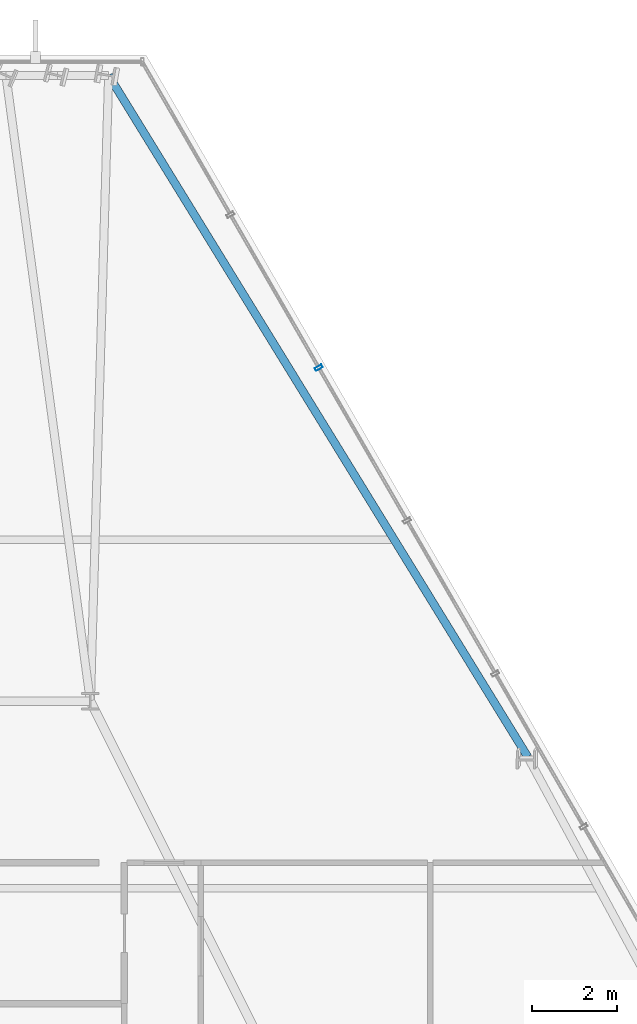
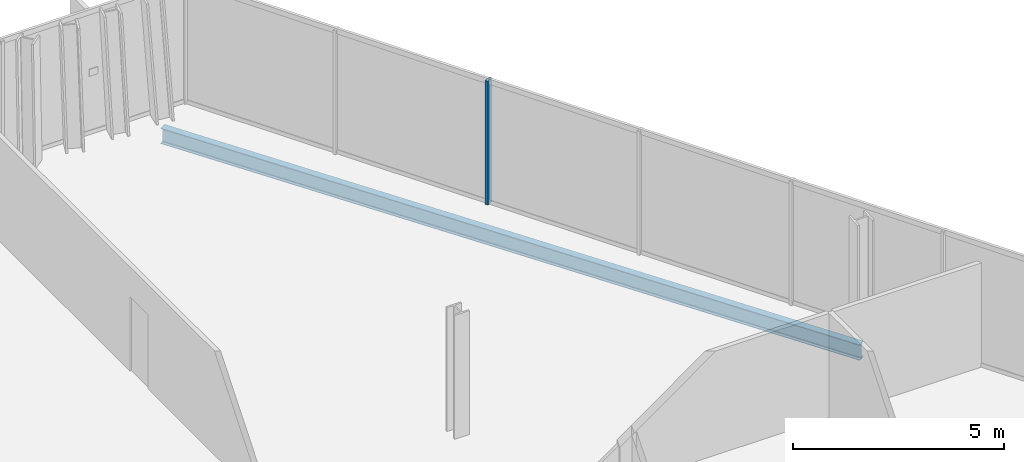
# One storey, part 26 of 35: 1 beam, 1 member, 1 element without a shape of its own.
"""IFC4 building model written with IfcOpenShell, lengths in metres."""

from ifc_helpers import new_model, si_unit, direction, frame, origin, origin_2d, place, context, subcontext, project, spatial, hollow_rectangle, i_section, extrude, material, layer, layer_set, material_profile, profile_set, type_object, element, aggregate, save


model = new_model("IFC4")

# Units and contexts
model_context = context("Model", 3, precision=1e-05, world=origin(), true_north=direction((0.0, 1.0)))
body_context = subcontext(model_context, "Body", "Model", "MODEL_VIEW")
ifc_project = project(units=[si_unit("LENGTHUNIT", "METRE"), si_unit("AREAUNIT", "SQUARE_METRE"), si_unit("VOLUMEUNIT", "CUBIC_METRE"), si_unit("PLANEANGLEUNIT", "RADIAN"), si_unit("MASSUNIT", "GRAM", prefix="KILO")], contexts=[model_context])

# Site, building, storey
site_placement = place(None, origin())
site = spatial("IfcSite", under=ifc_project, at=site_placement, CompositionType="ELEMENT")
building_placement = place(site_placement, origin())
building = spatial("IfcBuilding", under=site, at=building_placement, Name="Ndaravel Arena Tower", CompositionType="ELEMENT")
storey_placement = place(building_placement, frame((0.0, 0.0, 180.199951171875)))
storey = spatial("IfcBuildingStorey", under=building, at=storey_placement, Name="L43", CompositionType="ELEMENT", Elevation=180.199951171875)

# Beam
ifc_material_1 = material(Name="Steel S355", Category="steel")
ifc_material_profile_1 = material_profile(ifc_material_1, i_section(OverallWidth=0.18994140625, OverallDepth=0.449951171875, WebThickness=0.009521484375, FlangeThickness=0.0146484375, FilletRadius=0.02099609375, at=origin_2d()), Name="IPE 450")
ifc_profile_set_1 = profile_set([ifc_material_profile_1], Name="Steel S355")
beam_type = type_object("IfcBeamType", Name="BM-SPAN-IPE450", PredefinedType="SPANDREL", material=ifc_profile_set_1)
beam_placement = place(storey_placement, frame((56.093505859375, 29.890380859375, -0.445068359375), z_axis=(-0.523878923011, 0.851792741238, 0.0), x_axis=(-0.851792741238, -0.523878923011, 0.0)))
element("IfcBeam", 1, at=beam_placement, inside=storey, type_object=beam_type, Name="L43 Perimeter Spandrel Beam SP-10", PredefinedType="SPANDREL", context=body_context, shape_type="SweptSolid", body=[
    extrude(i_section(OverallWidth=0.18994140625, OverallDepth=0.449951171875, WebThickness=0.009521484375, FlangeThickness=0.0146484375, FilletRadius=0.02099609375, at=origin_2d()), origin(), (0.0, 0.0, 1.0), 18.828369140625),
])

# Curtain wall, member
ifc_material_2 = material(Name="Aluminium", Category="aluminium")
ifc_layer = layer(ifc_material_2, 0.179931640625)
ifc_layer_set = layer_set([ifc_layer], Name="Aluminium")
curtain_wall_type = type_object("IfcCurtainWallType", Name="CW-SYS-03", PredefinedType="NOTDEFINED", material=ifc_layer_set)
curtain_wall_placement = place(storey_placement, origin())
curtain_wall = element("IfcCurtainWall", 2, at=curtain_wall_placement, inside=storey, type_object=curtain_wall_type, Name="L43 Faceted Crystal Curtain Wall CW-L43-E03", PredefinedType="NOTDEFINED")
ifc_material_3 = material(Name="Aluminium", Category="aluminium")
ifc_material_profile_2 = material_profile(ifc_material_3, hollow_rectangle(XDim=0.074951171875, YDim=0.179931640625, WallThickness=0.00390625, at=origin_2d()), Name="CW MULLION 75x180x4")
ifc_profile_set_2 = profile_set([ifc_material_profile_2], Name="Aluminium")
member_type = type_object("IfcMemberType", Name="MEM-CW-MUL180", PredefinedType="MULLION", material=ifc_profile_set_2)
member_placement = place(storey_placement, frame((51.175048828125, 39.04931640625, 0.0), z_axis=(0.0, 0.0, 1.0), x_axis=(-0.5, 0.866025403784, 0.0)))
member = element("IfcMember", 3, at=member_placement, type_object=member_type, Name="CW-L43-E03 Mullion 07", PredefinedType="MULLION", context=body_context, shape_type="SweptSolid", body=[
    extrude(hollow_rectangle(XDim=0.074951171875, YDim=0.179931640625, WallThickness=0.00390625, at=origin_2d()), origin(), (0.0, 0.0, 1.0), 3.580078125),
])
aggregate(curtain_wall, [member])

save(model, "model.ifc")
